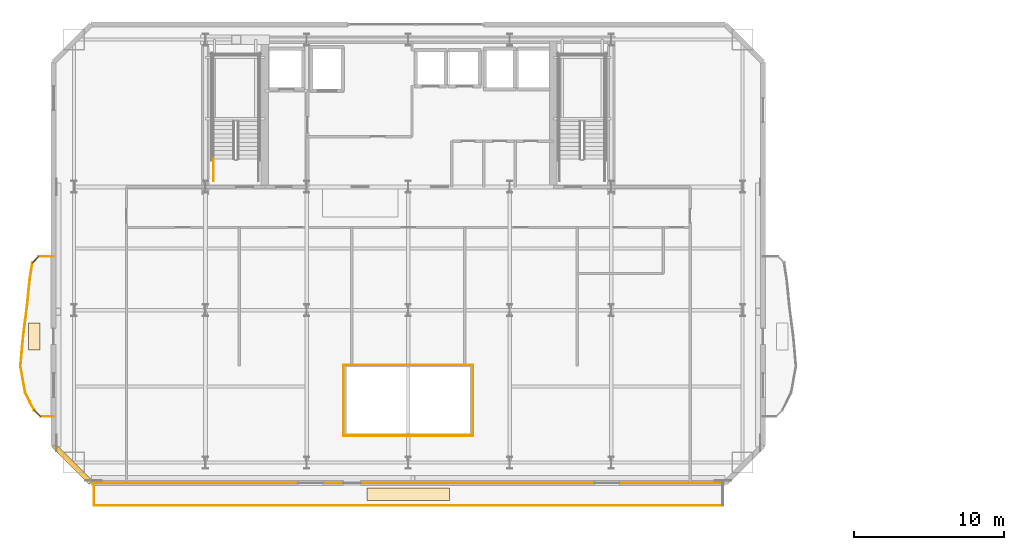
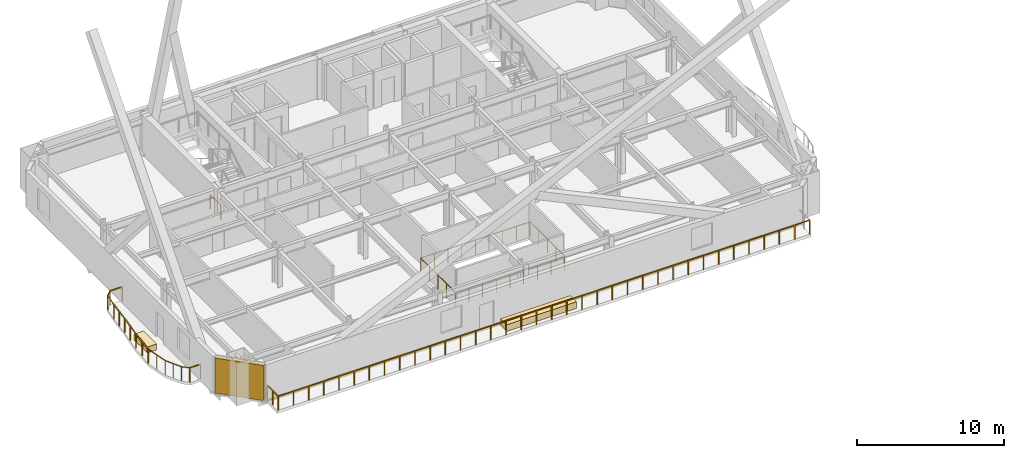
# One storey, part 17 of 22: 17 railings, 3 coverings, 1 shading device.
"""IFC4 building model written with IfcOpenShell, lengths in metres."""

from ifc_helpers import new_model, si_unit, direction, frame, origin, origin_2d, place, context, subcontext, project, spatial, rectangle, extrude, material, layer, layer_set, type_object, element, save


model = new_model("IFC4")

# Units and contexts
model_context = context("Model", 3, precision=1e-05, world=origin(), true_north=direction((0.0, 1.0)))
body_context = subcontext(model_context, "Body", "Model", "MODEL_VIEW")
ifc_project = project(units=[si_unit("LENGTHUNIT", "METRE"), si_unit("AREAUNIT", "SQUARE_METRE"), si_unit("VOLUMEUNIT", "CUBIC_METRE"), si_unit("PLANEANGLEUNIT", "RADIAN"), si_unit("MASSUNIT", "GRAM", prefix="KILO")], contexts=[model_context])

# Site, building, storey
site_placement = place(None, origin())
site = spatial("IfcSite", under=ifc_project, at=site_placement, CompositionType="ELEMENT")
building_placement = place(site_placement, origin())
building = spatial("IfcBuilding", under=site, at=building_placement, Name="Haevon Station Towers", CompositionType="ELEMENT")
storey_placement = place(building_placement, frame((0.0, 0.0, 93.300048828125)))
storey = spatial("IfcBuildingStorey", under=building, at=storey_placement, Name="L24", CompositionType="ELEMENT", Elevation=93.300048828125)

# Railings
ifc_material_1 = material(Name="Steel S355", Category="steel")
railing_type_1 = type_object("IfcRailingType", Name="BAL-ATR1200", PredefinedType="BALUSTRADE", material=ifc_material_1)
railing_1_placement = place(storey_placement, frame((33.19482421875, 21.642333984375, 0.0)))
element("IfcRailing", 1, at=railing_1_placement, inside=storey, type_object=railing_type_1, Name="L24 Atrium Void Balustrade 1", PredefinedType="BALUSTRADE", context=body_context, shape_type="SweptSolid", body=[
    extrude(rectangle(XDim=0.048095703125, YDim=0.048095703125, at=origin_2d()), frame((0.0, 0.0, 1.17578125), z_axis=(1.0, 0.0, 0.0), x_axis=(0.0, 1.0, 0.0)), (0.0, 0.0, 1.0), 8.6103515625),
    extrude(rectangle(XDim=0.0419921875, YDim=0.0419921875, at=origin_2d()), origin(), (0.0, 0.0, 1.0), 1.15185546875),
    extrude(rectangle(XDim=0.0419921875, YDim=0.0419921875, at=origin_2d()), frame((1.076171875, 0.0, 0.0)), (0.0, 0.0, 1.0), 1.15185546875),
    extrude(rectangle(XDim=0.0419921875, YDim=0.0419921875, at=origin_2d()), frame((2.152587890625, 0.0, 0.0)), (0.0, 0.0, 1.0), 1.15185546875),
    extrude(rectangle(XDim=0.0419921875, YDim=0.0419921875, at=origin_2d()), frame((3.22900390625, 0.0, 0.0)), (0.0, 0.0, 1.0), 1.15185546875),
    extrude(rectangle(XDim=0.0419921875, YDim=0.0419921875, at=origin_2d()), frame((4.30517578125, 0.0, 0.0)), (0.0, 0.0, 1.0), 1.15185546875),
    extrude(rectangle(XDim=0.0419921875, YDim=0.0419921875, at=origin_2d()), frame((5.38134765625, 0.0, 0.0)), (0.0, 0.0, 1.0), 1.15185546875),
    extrude(rectangle(XDim=0.0419921875, YDim=0.0419921875, at=origin_2d()), frame((6.457763671875, 0.0, 0.0)), (0.0, 0.0, 1.0), 1.15185546875),
    extrude(rectangle(XDim=0.0419921875, YDim=0.0419921875, at=origin_2d()), frame((7.5341796875, 0.0, 0.0)), (0.0, 0.0, 1.0), 1.15185546875),
    extrude(rectangle(XDim=0.0419921875, YDim=0.0419921875, at=origin_2d()), frame((8.6103515625, 0.0, 0.0)), (0.0, 0.0, 1.0), 1.15185546875),
])
railing_2_placement = place(storey_placement, frame((41.80517578125, 21.642333984375, 0.0)))
element("IfcRailing", 2, at=railing_2_placement, inside=storey, type_object=railing_type_1, Name="L24 Atrium Void Balustrade 2", PredefinedType="BALUSTRADE", context=body_context, shape_type="SweptSolid", body=[
    extrude(rectangle(XDim=0.048095703125, YDim=0.048095703125, at=origin_2d()), frame((0.0, 0.0, 1.17578125), z_axis=(0.0, 1.0, 0.0), x_axis=(-1.0, 0.0, 0.0)), (0.0, 0.0, 1.0), 4.71533203125),
    extrude(rectangle(XDim=0.0419921875, YDim=0.0419921875, at=origin_2d()), origin(), (0.0, 0.0, 1.0), 1.15185546875),
    extrude(rectangle(XDim=0.0419921875, YDim=0.0419921875, at=origin_2d()), frame((0.0, 1.1787109375, 0.0)), (0.0, 0.0, 1.0), 1.15185546875),
    extrude(rectangle(XDim=0.0419921875, YDim=0.0419921875, at=origin_2d()), frame((0.0, 2.357666015625, 0.0)), (0.0, 0.0, 1.0), 1.15185546875),
    extrude(rectangle(XDim=0.0419921875, YDim=0.0419921875, at=origin_2d()), frame((0.0, 3.53662109375, 0.0)), (0.0, 0.0, 1.0), 1.15185546875),
    extrude(rectangle(XDim=0.0419921875, YDim=0.0419921875, at=origin_2d()), frame((0.0, 4.71533203125, 0.0)), (0.0, 0.0, 1.0), 1.15185546875),
])
railing_3_placement = place(storey_placement, frame((41.80517578125, 26.357666015625, 0.0)))
element("IfcRailing", 3, at=railing_3_placement, inside=storey, type_object=railing_type_1, Name="L24 Atrium Void Balustrade 3", PredefinedType="BALUSTRADE", context=body_context, shape_type="SweptSolid", body=[
    extrude(rectangle(XDim=0.048095703125, YDim=0.048095703125, at=origin_2d()), frame((0.0, 0.0, 1.17578125), z_axis=(-1.0, 0.0, 0.0), x_axis=(0.0, -1.0, 0.0)), (0.0, 0.0, 1.0), 8.6103515625),
    extrude(rectangle(XDim=0.0419921875, YDim=0.0419921875, at=origin_2d()), origin(), (0.0, 0.0, 1.0), 1.15185546875),
    extrude(rectangle(XDim=0.0419921875, YDim=0.0419921875, at=origin_2d()), frame((-1.076171875, 0.0, 0.0)), (0.0, 0.0, 1.0), 1.15185546875),
    extrude(rectangle(XDim=0.0419921875, YDim=0.0419921875, at=origin_2d()), frame((-2.152587890625, 0.0, 0.0)), (0.0, 0.0, 1.0), 1.15185546875),
    extrude(rectangle(XDim=0.0419921875, YDim=0.0419921875, at=origin_2d()), frame((-3.22900390625, 0.0, 0.0)), (0.0, 0.0, 1.0), 1.15185546875),
    extrude(rectangle(XDim=0.0419921875, YDim=0.0419921875, at=origin_2d()), frame((-4.30517578125, 0.0, 0.0)), (0.0, 0.0, 1.0), 1.15185546875),
    extrude(rectangle(XDim=0.0419921875, YDim=0.0419921875, at=origin_2d()), frame((-5.38134765625, 0.0, 0.0)), (0.0, 0.0, 1.0), 1.15185546875),
    extrude(rectangle(XDim=0.0419921875, YDim=0.0419921875, at=origin_2d()), frame((-6.457763671875, 0.0, 0.0)), (0.0, 0.0, 1.0), 1.15185546875),
    extrude(rectangle(XDim=0.0419921875, YDim=0.0419921875, at=origin_2d()), frame((-7.5341796875, 0.0, 0.0)), (0.0, 0.0, 1.0), 1.15185546875),
    extrude(rectangle(XDim=0.0419921875, YDim=0.0419921875, at=origin_2d()), frame((-8.6103515625, 0.0, 0.0)), (0.0, 0.0, 1.0), 1.15185546875),
])
railing_4_placement = place(storey_placement, frame((33.19482421875, 26.357666015625, 0.0)))
element("IfcRailing", 4, at=railing_4_placement, inside=storey, type_object=railing_type_1, Name="L24 Atrium Void Balustrade 4", PredefinedType="BALUSTRADE", context=body_context, shape_type="SweptSolid", body=[
    extrude(rectangle(XDim=0.048095703125, YDim=0.048095703125, at=origin_2d()), frame((0.0, 0.0, 1.17578125), z_axis=(0.0, -1.0, 0.0), x_axis=(1.0, 0.0, 0.0)), (0.0, 0.0, 1.0), 4.71533203125),
    extrude(rectangle(XDim=0.0419921875, YDim=0.0419921875, at=origin_2d()), origin(), (0.0, 0.0, 1.0), 1.15185546875),
    extrude(rectangle(XDim=0.0419921875, YDim=0.0419921875, at=origin_2d()), frame((0.0, -1.1787109375, 0.0)), (0.0, 0.0, 1.0), 1.15185546875),
    extrude(rectangle(XDim=0.0419921875, YDim=0.0419921875, at=origin_2d()), frame((0.0, -2.357666015625, 0.0)), (0.0, 0.0, 1.0), 1.15185546875),
    extrude(rectangle(XDim=0.0419921875, YDim=0.0419921875, at=origin_2d()), frame((0.0, -3.53662109375, 0.0)), (0.0, 0.0, 1.0), 1.15185546875),
    extrude(rectangle(XDim=0.0419921875, YDim=0.0419921875, at=origin_2d()), frame((0.0, -4.71533203125, 0.0)), (0.0, 0.0, 1.0), 1.15185546875),
])

# Covering
ifc_material_2 = material(Name="Anodised aluminium 6063-T6", Category="aluminium")
ifc_layer_1 = layer(ifc_material_2, 0.0400390625)
ifc_layer_set_1 = layer_set([ifc_layer_1], Name="Anodised aluminium 6063-T6")
covering_type_1 = type_object("IfcCoveringType", Name="COV-CLAD40", PredefinedType="CLADDING", material=ifc_layer_set_1)
covering_1_placement = place(storey_placement, frame((37.5, 18.5, -0.240234375), z_axis=(0.0, 0.0, 1.0), x_axis=(1.0, 0.0, 0.0)))
element("IfcCovering", 5, at=covering_1_placement, inside=storey, type_object=covering_type_1, Name="Tower 1 L24 Spandrel Fascia Cladding", PredefinedType="CLADDING", context=body_context, shape_type="SweptSolid", body=[
    extrude(rectangle(XDim=41.800048828125, YDim=0.0400390625, at=origin_2d()), origin(), (0.0, 0.0, 1.0), 0.239990234375),
])

# Railings
railing_type_2 = type_object("IfcRailingType", Name="GRD-EXT1200", PredefinedType="GUARDRAIL", material=ifc_material_1)
railing_5_placement = place(storey_placement, frame((16.579833984375, 17.0029296875, 0.0)))
element("IfcRailing", 6, at=railing_5_placement, inside=storey, type_object=railing_type_2, Name="L24 Perimeter Guardrail 1", PredefinedType="GUARDRAIL", context=body_context, shape_type="SweptSolid", body=[
    extrude(rectangle(XDim=0.048095703125, YDim=0.048095703125, at=origin_2d()), frame((0.0, 0.0, 1.17578125), z_axis=(1.0, 0.0, 0.0), x_axis=(0.0, 1.0, 0.0)), (0.0, 0.0, 1.0), 41.84033203125),
    extrude(rectangle(XDim=0.0419921875, YDim=0.0419921875, at=origin_2d()), origin(), (0.0, 0.0, 1.0), 1.15185546875),
    extrude(rectangle(XDim=0.0419921875, YDim=0.0419921875, at=origin_2d()), frame((1.195556640625, 0.0, 0.0)), (0.0, 0.0, 1.0), 1.15185546875),
    extrude(rectangle(XDim=0.0419921875, YDim=0.0419921875, at=origin_2d()), frame((2.390869140625, 0.0, 0.0)), (0.0, 0.0, 1.0), 1.15185546875),
    extrude(rectangle(XDim=0.0419921875, YDim=0.0419921875, at=origin_2d()), frame((3.58642578125, 0.0, 0.0)), (0.0, 0.0, 1.0), 1.15185546875),
    extrude(rectangle(XDim=0.0419921875, YDim=0.0419921875, at=origin_2d()), frame((4.78173828125, 0.0, 0.0)), (0.0, 0.0, 1.0), 1.15185546875),
    extrude(rectangle(XDim=0.0419921875, YDim=0.0419921875, at=origin_2d()), frame((5.977294921875, 0.0, 0.0)), (0.0, 0.0, 1.0), 1.15185546875),
    extrude(rectangle(XDim=0.0419921875, YDim=0.0419921875, at=origin_2d()), frame((7.172607421875, 0.0, 0.0)), (0.0, 0.0, 1.0), 1.15185546875),
    extrude(rectangle(XDim=0.0419921875, YDim=0.0419921875, at=origin_2d()), frame((8.3681640625, 0.0, 0.0)), (0.0, 0.0, 1.0), 1.15185546875),
    extrude(rectangle(XDim=0.0419921875, YDim=0.0419921875, at=origin_2d()), frame((9.5634765625, 0.0, 0.0)), (0.0, 0.0, 1.0), 1.15185546875),
    extrude(rectangle(XDim=0.0419921875, YDim=0.0419921875, at=origin_2d()), frame((10.759033203125, 0.0, 0.0)), (0.0, 0.0, 1.0), 1.15185546875),
    extrude(rectangle(XDim=0.0419921875, YDim=0.0419921875, at=origin_2d()), frame((11.954345703125, 0.0, 0.0)), (0.0, 0.0, 1.0), 1.15185546875),
    extrude(rectangle(XDim=0.0419921875, YDim=0.0419921875, at=origin_2d()), frame((13.14990234375, 0.0, 0.0)), (0.0, 0.0, 1.0), 1.15185546875),
    extrude(rectangle(XDim=0.0419921875, YDim=0.0419921875, at=origin_2d()), frame((14.34521484375, 0.0, 0.0)), (0.0, 0.0, 1.0), 1.15185546875),
    extrude(rectangle(XDim=0.0419921875, YDim=0.0419921875, at=origin_2d()), frame((15.540771484375, 0.0, 0.0)), (0.0, 0.0, 1.0), 1.15185546875),
    extrude(rectangle(XDim=0.0419921875, YDim=0.0419921875, at=origin_2d()), frame((16.736083984375, 0.0, 0.0)), (0.0, 0.0, 1.0), 1.15185546875),
    extrude(rectangle(XDim=0.0419921875, YDim=0.0419921875, at=origin_2d()), frame((17.931640625, 0.0, 0.0)), (0.0, 0.0, 1.0), 1.15185546875),
    extrude(rectangle(XDim=0.0419921875, YDim=0.0419921875, at=origin_2d()), frame((19.126953125, 0.0, 0.0)), (0.0, 0.0, 1.0), 1.15185546875),
    extrude(rectangle(XDim=0.0419921875, YDim=0.0419921875, at=origin_2d()), frame((20.322509765625, 0.0, 0.0)), (0.0, 0.0, 1.0), 1.15185546875),
    extrude(rectangle(XDim=0.0419921875, YDim=0.0419921875, at=origin_2d()), frame((21.517822265625, 0.0, 0.0)), (0.0, 0.0, 1.0), 1.15185546875),
    extrude(rectangle(XDim=0.0419921875, YDim=0.0419921875, at=origin_2d()), frame((22.71337890625, 0.0, 0.0)), (0.0, 0.0, 1.0), 1.15185546875),
    extrude(rectangle(XDim=0.0419921875, YDim=0.0419921875, at=origin_2d()), frame((23.90869140625, 0.0, 0.0)), (0.0, 0.0, 1.0), 1.15185546875),
    extrude(rectangle(XDim=0.0419921875, YDim=0.0419921875, at=origin_2d()), frame((25.104248046875, 0.0, 0.0)), (0.0, 0.0, 1.0), 1.15185546875),
    extrude(rectangle(XDim=0.0419921875, YDim=0.0419921875, at=origin_2d()), frame((26.299560546875, 0.0, 0.0)), (0.0, 0.0, 1.0), 1.15185546875),
    extrude(rectangle(XDim=0.0419921875, YDim=0.0419921875, at=origin_2d()), frame((27.4951171875, 0.0, 0.0)), (0.0, 0.0, 1.0), 1.15185546875),
    extrude(rectangle(XDim=0.0419921875, YDim=0.0419921875, at=origin_2d()), frame((28.6904296875, 0.0, 0.0)), (0.0, 0.0, 1.0), 1.15185546875),
    extrude(rectangle(XDim=0.0419921875, YDim=0.0419921875, at=origin_2d()), frame((29.885986328125, 0.0, 0.0)), (0.0, 0.0, 1.0), 1.15185546875),
    extrude(rectangle(XDim=0.0419921875, YDim=0.0419921875, at=origin_2d()), frame((31.081298828125, 0.0, 0.0)), (0.0, 0.0, 1.0), 1.15185546875),
    extrude(rectangle(XDim=0.0419921875, YDim=0.0419921875, at=origin_2d()), frame((32.27685546875, 0.0, 0.0)), (0.0, 0.0, 1.0), 1.15185546875),
    extrude(rectangle(XDim=0.0419921875, YDim=0.0419921875, at=origin_2d()), frame((33.47216796875, 0.0, 0.0)), (0.0, 0.0, 1.0), 1.15185546875),
    extrude(rectangle(XDim=0.0419921875, YDim=0.0419921875, at=origin_2d()), frame((34.667724609375, 0.0, 0.0)), (0.0, 0.0, 1.0), 1.15185546875),
    extrude(rectangle(XDim=0.0419921875, YDim=0.0419921875, at=origin_2d()), frame((35.863037109375, 0.0, 0.0)), (0.0, 0.0, 1.0), 1.15185546875),
    extrude(rectangle(XDim=0.0419921875, YDim=0.0419921875, at=origin_2d()), frame((37.05859375, 0.0, 0.0)), (0.0, 0.0, 1.0), 1.15185546875),
    extrude(rectangle(XDim=0.0419921875, YDim=0.0419921875, at=origin_2d()), frame((38.25390625, 0.0, 0.0)), (0.0, 0.0, 1.0), 1.15185546875),
    extrude(rectangle(XDim=0.0419921875, YDim=0.0419921875, at=origin_2d()), frame((39.449462890625, 0.0, 0.0)), (0.0, 0.0, 1.0), 1.15185546875),
    extrude(rectangle(XDim=0.0419921875, YDim=0.0419921875, at=origin_2d()), frame((40.644775390625, 0.0, 0.0)), (0.0, 0.0, 1.0), 1.15185546875),
    extrude(rectangle(XDim=0.0419921875, YDim=0.0419921875, at=origin_2d()), frame((41.84033203125, 0.0, 0.0)), (0.0, 0.0, 1.0), 1.15185546875),
])
railing_6_placement = place(storey_placement, frame((16.579833984375, 18.4921875, 0.0)))
element("IfcRailing", 7, at=railing_6_placement, inside=storey, type_object=railing_type_2, Name="L24 Perimeter Guardrail 3", PredefinedType="GUARDRAIL", context=body_context, shape_type="SweptSolid", body=[
    extrude(rectangle(XDim=0.048095703125, YDim=0.048095703125, at=origin_2d()), frame((0.0, 0.0, 1.17578125), z_axis=(0.0, -1.0, 0.0), x_axis=(1.0, 0.0, 0.0)), (0.0, 0.0, 1.0), 1.4892578125),
    extrude(rectangle(XDim=0.0419921875, YDim=0.0419921875, at=origin_2d()), origin(), (0.0, 0.0, 1.0), 1.15185546875),
    extrude(rectangle(XDim=0.0419921875, YDim=0.0419921875, at=origin_2d()), frame((0.0, -0.74462890625, 0.0)), (0.0, 0.0, 1.0), 1.15185546875),
    extrude(rectangle(XDim=0.0419921875, YDim=0.0419921875, at=origin_2d()), frame((0.0, -1.4892578125, 0.0)), (0.0, 0.0, 1.0), 1.15185546875),
])
railing_7_placement = place(storey_placement, frame((13.87646484375, 33.572265625, 0.0)))
element("IfcRailing", 8, at=railing_7_placement, inside=storey, type_object=railing_type_2, Name="L24 Perimeter Guardrail 1", PredefinedType="GUARDRAIL", context=body_context, shape_type="SweptSolid", body=[
    extrude(rectangle(XDim=0.048095703125, YDim=0.048095703125, at=origin_2d()), frame((0.0, 0.0, 1.17578125), z_axis=(-0.999997457331, -0.002255068182, 0.0), x_axis=(0.002255068182, -0.999997457331, 0.0)), (0.0, 0.0, 1.0), 0.974365234375),
    extrude(rectangle(XDim=0.0419921875, YDim=0.0419921875, at=origin_2d()), origin(), (0.0, 0.0, 1.0), 1.15185546875),
    extrude(rectangle(XDim=0.0419921875, YDim=0.0419921875, at=origin_2d()), frame((-0.974365234375, -0.002197265625, 0.0)), (0.0, 0.0, 1.0), 1.15185546875),
])
railing_8_placement = place(storey_placement, frame((12.902099609375, 33.570068359375, 0.0)))
element("IfcRailing", 9, at=railing_8_placement, inside=storey, type_object=railing_type_2, Name="L24 Perimeter Guardrail 2", PredefinedType="GUARDRAIL", context=body_context, shape_type="SweptSolid", body=[
    extrude(rectangle(XDim=0.048095703125, YDim=0.048095703125, at=origin_2d()), frame((0.0, 0.0, 1.17578125), z_axis=(-0.710855721551, -0.703337858456, 0.0), x_axis=(0.703337858456, -0.710855721551, 0.0)), (0.0, 0.0, 1.0), 0.58447265625),
    extrude(rectangle(XDim=0.0419921875, YDim=0.0419921875, at=origin_2d()), origin(), (0.0, 0.0, 1.0), 1.15185546875),
    extrude(rectangle(XDim=0.0419921875, YDim=0.0419921875, at=origin_2d()), frame((-0.41552734375, -0.4111328125, 0.0)), (0.0, 0.0, 1.0), 1.15185546875),
])
railing_9_placement = place(storey_placement, frame((12.486572265625, 33.158935546875, 0.0)))
element("IfcRailing", 10, at=railing_9_placement, inside=storey, type_object=railing_type_2, Name="L24 Perimeter Guardrail 3", PredefinedType="GUARDRAIL", context=body_context, shape_type="SweptSolid", body=[
    extrude(rectangle(XDim=0.048095703125, YDim=0.048095703125, at=origin_2d()), frame((0.0, 0.0, 1.17578125), z_axis=(-0.151545873125, -0.988450225524, 0.0), x_axis=(0.988450225524, -0.151545873125, 0.0)), (0.0, 0.0, 1.0), 1.18408203125),
    extrude(rectangle(XDim=0.0419921875, YDim=0.0419921875, at=origin_2d()), origin(), (0.0, 0.0, 1.0), 1.15185546875),
    extrude(rectangle(XDim=0.0419921875, YDim=0.0419921875, at=origin_2d()), frame((-0.179443359375, -1.17041015625, 0.0)), (0.0, 0.0, 1.0), 1.15185546875),
])
railing_10_placement = place(storey_placement, frame((12.30712890625, 31.988525390625, 0.0)))
element("IfcRailing", 11, at=railing_10_placement, inside=storey, type_object=railing_type_2, Name="L24 Perimeter Guardrail 4", PredefinedType="GUARDRAIL", context=body_context, shape_type="SweptSolid", body=[
    extrude(rectangle(XDim=0.048095703125, YDim=0.048095703125, at=origin_2d()), frame((0.0, 0.0, 1.17578125), z_axis=(-0.100369612016, -0.994950220355, 0.0), x_axis=(0.994950220355, -0.100369612016, 0.0)), (0.0, 0.0, 1.0), 1.758544921875),
    extrude(rectangle(XDim=0.0419921875, YDim=0.0419921875, at=origin_2d()), origin(), (0.0, 0.0, 1.0), 1.15185546875),
    extrude(rectangle(XDim=0.0419921875, YDim=0.0419921875, at=origin_2d()), frame((-0.08837890625, -0.875, 0.0)), (0.0, 0.0, 1.0), 1.15185546875),
    extrude(rectangle(XDim=0.0419921875, YDim=0.0419921875, at=origin_2d()), frame((-0.176513671875, -1.749755859375, 0.0)), (0.0, 0.0, 1.0), 1.15185546875),
])
railing_11_placement = place(storey_placement, frame((12.130615234375, 30.23876953125, 0.0)))
element("IfcRailing", 12, at=railing_11_placement, inside=storey, type_object=railing_type_2, Name="L24 Perimeter Guardrail 5", PredefinedType="GUARDRAIL", context=body_context, shape_type="SweptSolid", body=[
    extrude(rectangle(XDim=0.048095703125, YDim=0.048095703125, at=origin_2d()), frame((0.0, 0.0, 1.17578125), z_axis=(-0.127480675673, -0.991841054469, 0.0), x_axis=(0.991841054469, -0.127480675673, 0.0)), (0.0, 0.0, 1.0), 2.005126953125),
    extrude(rectangle(XDim=0.0419921875, YDim=0.0419921875, at=origin_2d()), origin(), (0.0, 0.0, 1.0), 1.15185546875),
    extrude(rectangle(XDim=0.0419921875, YDim=0.0419921875, at=origin_2d()), frame((-0.1279296875, -0.994384765625, 0.0)), (0.0, 0.0, 1.0), 1.15185546875),
    extrude(rectangle(XDim=0.0419921875, YDim=0.0419921875, at=origin_2d()), frame((-0.255615234375, -1.98876953125, 0.0)), (0.0, 0.0, 1.0), 1.15185546875),
])
railing_12_placement = place(storey_placement, frame((11.875, 28.25, 0.0)))
element("IfcRailing", 13, at=railing_12_placement, inside=storey, type_object=railing_type_2, Name="L24 Perimeter Guardrail 6", PredefinedType="GUARDRAIL", context=body_context, shape_type="SweptSolid", body=[
    extrude(rectangle(XDim=0.048095703125, YDim=0.048095703125, at=origin_2d()), frame((0.0, 0.0, 1.17578125), z_axis=(-0.088918972693, -0.996038862844, 0.0), x_axis=(0.996038862844, -0.088918972693, 0.0)), (0.0, 0.0, 1.0), 2.00146484375),
    extrude(rectangle(XDim=0.0419921875, YDim=0.0419921875, at=origin_2d()), origin(), (0.0, 0.0, 1.0), 1.15185546875),
    extrude(rectangle(XDim=0.0419921875, YDim=0.0419921875, at=origin_2d()), frame((-0.0888671875, -0.996826171875, 0.0)), (0.0, 0.0, 1.0), 1.15185546875),
    extrude(rectangle(XDim=0.0419921875, YDim=0.0419921875, at=origin_2d()), frame((-0.177978515625, -1.99365234375, 0.0)), (0.0, 0.0, 1.0), 1.15185546875),
])
railing_13_placement = place(storey_placement, frame((11.697021484375, 26.25634765625, 0.0)))
element("IfcRailing", 14, at=railing_13_placement, inside=storey, type_object=railing_type_2, Name="L24 Perimeter Guardrail 7", PredefinedType="GUARDRAIL", context=body_context, shape_type="SweptSolid", body=[
    extrude(rectangle(XDim=0.048095703125, YDim=0.048095703125, at=origin_2d()), frame((0.0, 0.0, 1.17578125), z_axis=(0.179418162839, -0.983772902068, 0.0), x_axis=(0.983772902068, 0.179418162839, 0.0)), (0.0, 0.0, 1.0), 1.7744140625),
    extrude(rectangle(XDim=0.0419921875, YDim=0.0419921875, at=origin_2d()), origin(), (0.0, 0.0, 1.0), 1.15185546875),
    extrude(rectangle(XDim=0.0419921875, YDim=0.0419921875, at=origin_2d()), frame((0.1591796875, -0.872802734375, 0.0)), (0.0, 0.0, 1.0), 1.15185546875),
    extrude(rectangle(XDim=0.0419921875, YDim=0.0419921875, at=origin_2d()), frame((0.318359375, -1.74560546875, 0.0)), (0.0, 0.0, 1.0), 1.15185546875),
])
railing_14_placement = place(storey_placement, frame((12.015380859375, 24.5107421875, 0.0)))
element("IfcRailing", 15, at=railing_14_placement, inside=storey, type_object=railing_type_2, Name="L24 Perimeter Guardrail 8", PredefinedType="GUARDRAIL", context=body_context, shape_type="SweptSolid", body=[
    extrude(rectangle(XDim=0.048095703125, YDim=0.048095703125, at=origin_2d()), frame((0.0, 0.0, 1.17578125), z_axis=(0.452639997868, -0.891693351063, 0.0), x_axis=(0.891693351063, 0.452639997868, 0.0)), (0.0, 0.0, 1.0), 1.311767578125),
    extrude(rectangle(XDim=0.0419921875, YDim=0.0419921875, at=origin_2d()), origin(), (0.0, 0.0, 1.0), 1.15185546875),
    extrude(rectangle(XDim=0.0419921875, YDim=0.0419921875, at=origin_2d()), frame((0.296875, -0.5849609375, 0.0)), (0.0, 0.0, 1.0), 1.15185546875),
    extrude(rectangle(XDim=0.0419921875, YDim=0.0419921875, at=origin_2d()), frame((0.59375, -1.169677734375, 0.0)), (0.0, 0.0, 1.0), 1.15185546875),
])
railing_15_placement = place(storey_placement, frame((12.609130859375, 23.341064453125, 0.0)))
element("IfcRailing", 16, at=railing_15_placement, inside=storey, type_object=railing_type_2, Name="L24 Perimeter Guardrail 9", PredefinedType="GUARDRAIL", context=body_context, shape_type="SweptSolid", body=[
    extrude(rectangle(XDim=0.048095703125, YDim=0.048095703125, at=origin_2d()), frame((0.0, 0.0, 1.17578125), z_axis=(0.722133455915, -0.69175376533, 0.0), x_axis=(0.69175376533, 0.722133455915, 0.0)), (0.0, 0.0, 1.0), 0.5947265625),
    extrude(rectangle(XDim=0.0419921875, YDim=0.0419921875, at=origin_2d()), origin(), (0.0, 0.0, 1.0), 1.15185546875),
    extrude(rectangle(XDim=0.0419921875, YDim=0.0419921875, at=origin_2d()), frame((0.429443359375, -0.411376953125, 0.0)), (0.0, 0.0, 1.0), 1.15185546875),
])
railing_16_placement = place(storey_placement, frame((13.03857421875, 22.9296875, 0.0)))
element("IfcRailing", 17, at=railing_16_placement, inside=storey, type_object=railing_type_2, Name="L24 Perimeter Guardrail 10", PredefinedType="GUARDRAIL", context=body_context, shape_type="SweptSolid", body=[
    extrude(rectangle(XDim=0.048095703125, YDim=0.048095703125, at=origin_2d()), frame((0.0, 0.0, 1.17578125), z_axis=(0.999997283225, -0.002330995998, 0.0), x_axis=(0.002330995998, 0.999997283225, 0.0)), (0.0, 0.0, 1.0), 0.837890625),
    extrude(rectangle(XDim=0.0419921875, YDim=0.0419921875, at=origin_2d()), origin(), (0.0, 0.0, 1.0), 1.15185546875),
    extrude(rectangle(XDim=0.0419921875, YDim=0.0419921875, at=origin_2d()), frame((0.837890625, -0.001953125, 0.0)), (0.0, 0.0, 1.0), 1.15185546875),
])
railing_type_3 = type_object("IfcRailingType", Name="GRD-STR1200", PredefinedType="GUARDRAIL", material=ifc_material_1)
railing_17_placement = place(storey_placement, frame((24.530029296875, 38.60009765625, 0.0)))
element("IfcRailing", 18, at=railing_17_placement, inside=storey, type_object=railing_type_3, Name="L24 ST1 Stair Guard 9", PredefinedType="GUARDRAIL", context=body_context, shape_type="SweptSolid", body=[
    extrude(rectangle(XDim=0.048095703125, YDim=0.048095703125, at=origin_2d()), frame((0.0, 0.0, 1.17578125), z_axis=(0.0, 1.0, 0.0), x_axis=(-1.0, 0.0, 0.0)), (0.0, 0.0, 1.0), 1.449951171875),
    extrude(rectangle(XDim=0.0419921875, YDim=0.0419921875, at=origin_2d()), origin(), (0.0, 0.0, 1.0), 1.15185546875),
    extrude(rectangle(XDim=0.0419921875, YDim=0.0419921875, at=origin_2d()), frame((0.0, 1.449951171875, 0.0)), (0.0, 0.0, 1.0), 1.15185546875),
])

# Coverings
ifc_material_3 = material(Name="Architectural planter GRC", Category="concrete")
ifc_layer_2 = layer(ifc_material_3, 0.550048828125)
ifc_layer_set_2 = layer_set([ifc_layer_2], Name="Architectural planter GRC")
covering_type_2 = type_object("IfcCoveringType", Name="PLN-GRC550", PredefinedType="MOLDING", material=ifc_layer_set_2)
covering_2_placement = place(storey_placement, frame((37.5, 17.74755859375, 0.0), z_axis=(0.0, 0.0, 1.0), x_axis=(1.0, 0.0, 0.0)))
element("IfcCovering", 19, at=covering_2_placement, inside=storey, type_object=covering_type_2, Name="Tower 1 L24 Sky-Garden GRC PLANTER", PredefinedType="MOLDING", context=body_context, shape_type="SweptSolid", body=[
    extrude(rectangle(XDim=5.5, YDim=0.85009765625, at=origin_2d()), origin(), (0.0, 0.0, 1.0), 0.550048828125),
])
covering_3_placement = place(storey_placement, frame((12.60986328125, 28.25, 0.0), z_axis=(0.0, 0.0, 1.0), x_axis=(1.0, 0.0, 0.0)))
element("IfcCovering", 20, at=covering_3_placement, inside=storey, type_object=covering_type_2, Name="Tower 1 L24 Scalloped Balcony PLANTER", PredefinedType="MOLDING", context=body_context, shape_type="SweptSolid", body=[
    extrude(rectangle(XDim=0.75, YDim=1.800048828125, at=origin_2d()), origin(), (0.0, 0.0, 1.0), 0.5),
])

# Shading device
ifc_layer_3 = layer(ifc_material_2, 0.139892578125)
ifc_layer_set_3 = layer_set([ifc_layer_3], Name="Anodised aluminium 6063-T6")
shading_device_type = type_object("IfcShadingDeviceType", Name="SHD-WIND-BAFFLE", PredefinedType="SHUTTER", material=ifc_layer_set_3)
shading_device_placement = place(storey_placement, frame((15.14990234375, 19.75, 0.0498046875), z_axis=(0.0, 0.0, 1.0), x_axis=(-0.707106781187, 0.707106781187, 0.0)))
element("IfcShadingDevice", 21, at=shading_device_placement, inside=storey, type_object=shading_device_type, Name="Tower 1 L24 Wind-Corner Aerofoil Baffle SWC", PredefinedType="SHUTTER", context=body_context, shape_type="SweptSolid", body=[
    extrude(rectangle(XDim=3.435546875, YDim=0.340087890625, at=origin_2d()), origin(), (0.0, 0.0, 1.0), 2.929931640625),
])

save(model, "model.ifc")
